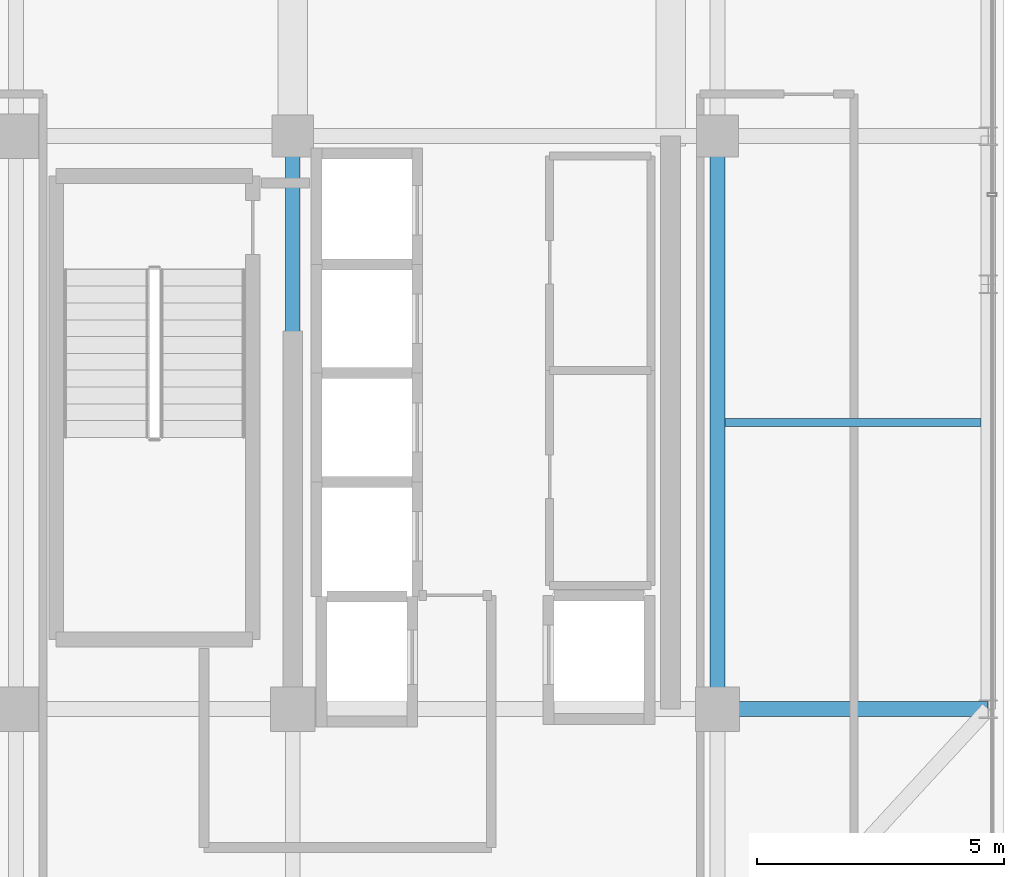
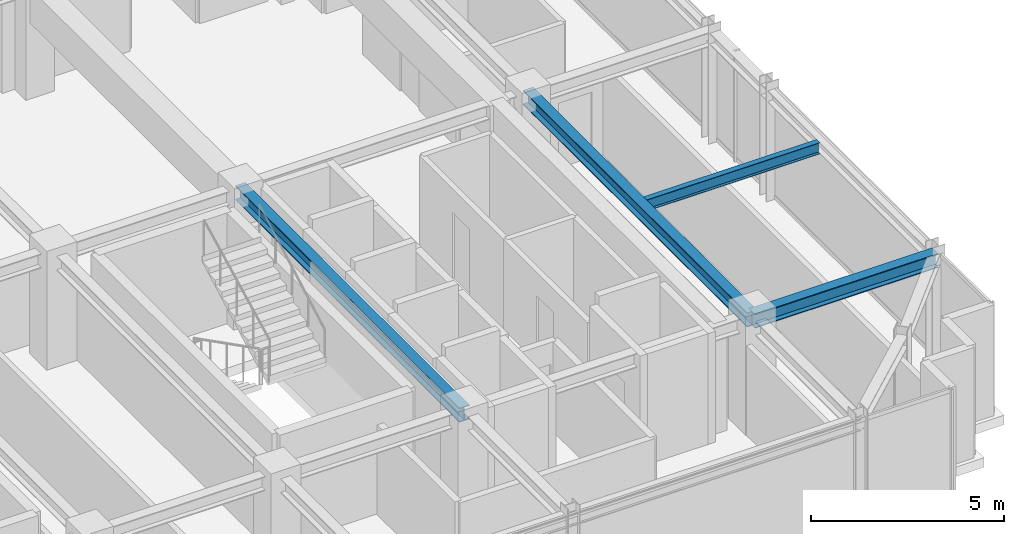
# One storey, part 13 of 31: 4 beams.
"""IFC4 building model written with IfcOpenShell, lengths in metres."""

from ifc_helpers import new_model, si_unit, direction, frame, origin, origin_2d, place, context, subcontext, project, spatial, i_section, extrude, source, transform, mapped, material, material_profile, profile_set, type_object, element, save


model = new_model("IFC4")

# Units and contexts
model_context = context("Model", 3, precision=1e-05, world=origin(), true_north=direction((0.0, 1.0)))
body_context = subcontext(model_context, "Body", "Model", "MODEL_VIEW")
ifc_project = project(units=[si_unit("LENGTHUNIT", "METRE"), si_unit("AREAUNIT", "SQUARE_METRE"), si_unit("VOLUMEUNIT", "CUBIC_METRE"), si_unit("PLANEANGLEUNIT", "RADIAN"), si_unit("MASSUNIT", "GRAM", prefix="KILO")], contexts=[model_context])

# Site, building, storey
site_placement = place(None, origin())
site = spatial("IfcSite", under=ifc_project, at=site_placement, CompositionType="ELEMENT")
building_placement = place(site_placement, origin())
building = spatial("IfcBuilding", under=site, at=building_placement, Name="Nahalor Promenade Grand Hotel", CompositionType="ELEMENT")
storey_placement = place(building_placement, frame((0.0, 0.0, 323.35009765625)))
storey = spatial("IfcBuildingStorey", under=building, at=storey_placement, Name="L83", CompositionType="ELEMENT", Elevation=323.35009765625)

# Beams
ifc_material = material(Name="Steel S355JR", Category="steel")
ifc_material_profile_1 = material_profile(ifc_material, i_section(OverallWidth=0.3, OverallDepth=0.45, WebThickness=0.014, FlangeThickness=0.026, at=origin_2d()), Name="HEB 450")
ifc_profile_set_1 = profile_set([ifc_material_profile_1], Name="Steel S355JR")
beam_type_1 = type_object("IfcBeamType", Name="Beam-Girder-HEB450", PredefinedType="BEAM", material=ifc_profile_set_1)
shared_shape_1 = source(origin(), body_context, "Body", "SweptSolid", [
    extrude(i_section(OverallWidth=0.3, OverallDepth=0.45, WebThickness=0.014, FlangeThickness=0.026, at=origin_2d()), origin(), (0.0, 0.0, 1.0), 11.60009765625),
])
for number, where, z_axis, x_axis, name in (
    (1, (8.39990234375, -17.0, 3.27490234375), (0.0, 1.0, 0.0), (-1.0, 0.0, 0.0), "BM-L83-GY-4-1"),
    (2, (17.0, -17.0, 3.27490234375), (0.0, 1.0, 0.0), (-1.0, 0.0, 0.0), "BM-L83-GY-5-1"),
):
    element("IfcBeam", number, at=place(storey_placement, frame(where, z_axis=z_axis, x_axis=x_axis)), inside=storey, type_object=beam_type_1, Name=name, PredefinedType="BEAM", context=body_context, shape_type="MappedRepresentation", body=[
        mapped(shared_shape_1, transform((0.0, 0.0, 0.0), scale=1.0)),
    ])
shared_shape_2 = source(origin(), body_context, "Body", "SweptSolid", [
    extrude(i_section(OverallWidth=0.3, OverallDepth=0.45, WebThickness=0.014, FlangeThickness=0.026, at=origin_2d()), origin(), (0.0, 0.0, 1.0), 5.47998046875),
])
beam_1_placement = place(storey_placement, frame((17.0, -17.0, 3.27490234375), z_axis=(1.0, 0.0, 0.0), x_axis=(0.0, 1.0, 0.0)))
element("IfcBeam", 3, at=beam_1_placement, inside=storey, type_object=beam_type_1, Name="BM-L83-GX-0-6", PredefinedType="BEAM", context=body_context, shape_type="MappedRepresentation", body=[
    mapped(shared_shape_2, transform((0.0, 0.0, 0.0), scale=1.0)),
])
ifc_material_profile_2 = material_profile(ifc_material, i_section(OverallWidth=0.17, OverallDepth=0.36, WebThickness=0.008, FlangeThickness=0.0127, at=origin_2d()), Name="IPE 360")
ifc_profile_set_2 = profile_set([ifc_material_profile_2], Name="Steel S355JR")
beam_type_2 = type_object("IfcBeamType", Name="Beam-Joist-IPE360", PredefinedType="JOIST", material=ifc_profile_set_2)
shared_shape_3 = source(origin(), body_context, "Body", "SweptSolid", [
    extrude(i_section(OverallWidth=0.17, OverallDepth=0.36, WebThickness=0.008, FlangeThickness=0.0127, at=origin_2d()), origin(), (0.0, 0.0, 1.0), 5.18017578125),
])
beam_2_placement = place(storey_placement, frame((17.14990234375, -11.199951171875, 3.31982421875), z_axis=(1.0, 0.0, 0.0), x_axis=(0.0, 1.0, 0.0)))
element("IfcBeam", 4, at=beam_2_placement, inside=storey, type_object=beam_type_2, Name="BM-L83-JSE-0-2", PredefinedType="JOIST", context=body_context, shape_type="MappedRepresentation", body=[
    mapped(shared_shape_3, transform((0.0, 0.0, 0.0), scale=1.0)),
])

save(model, "model.ifc")
